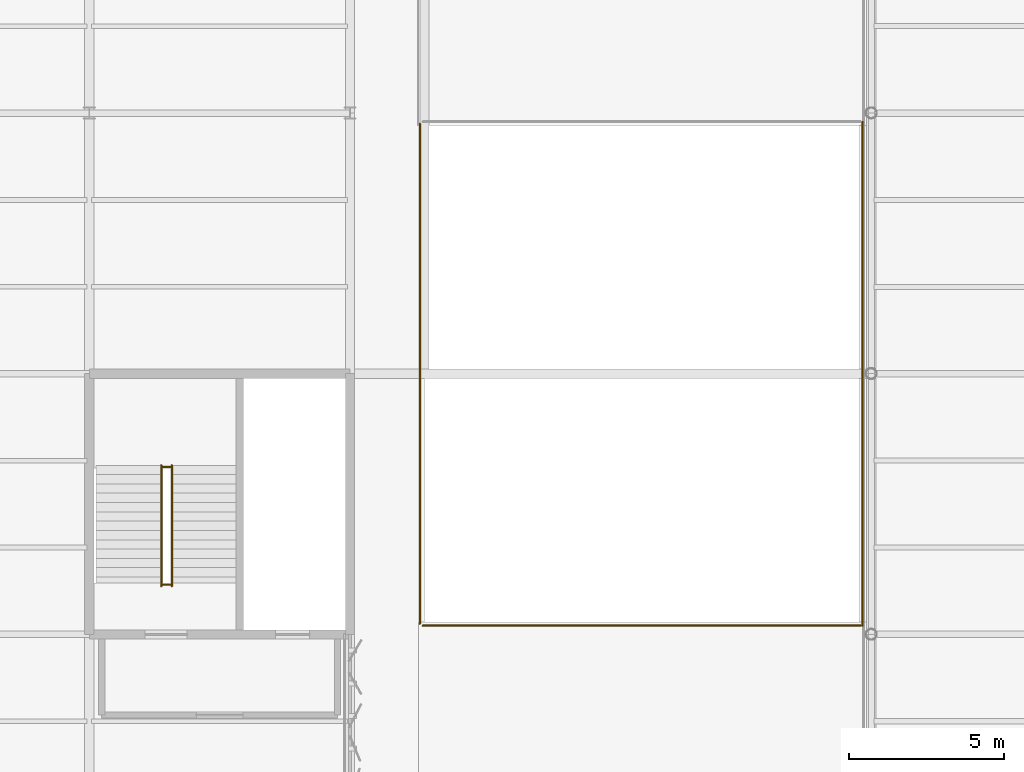
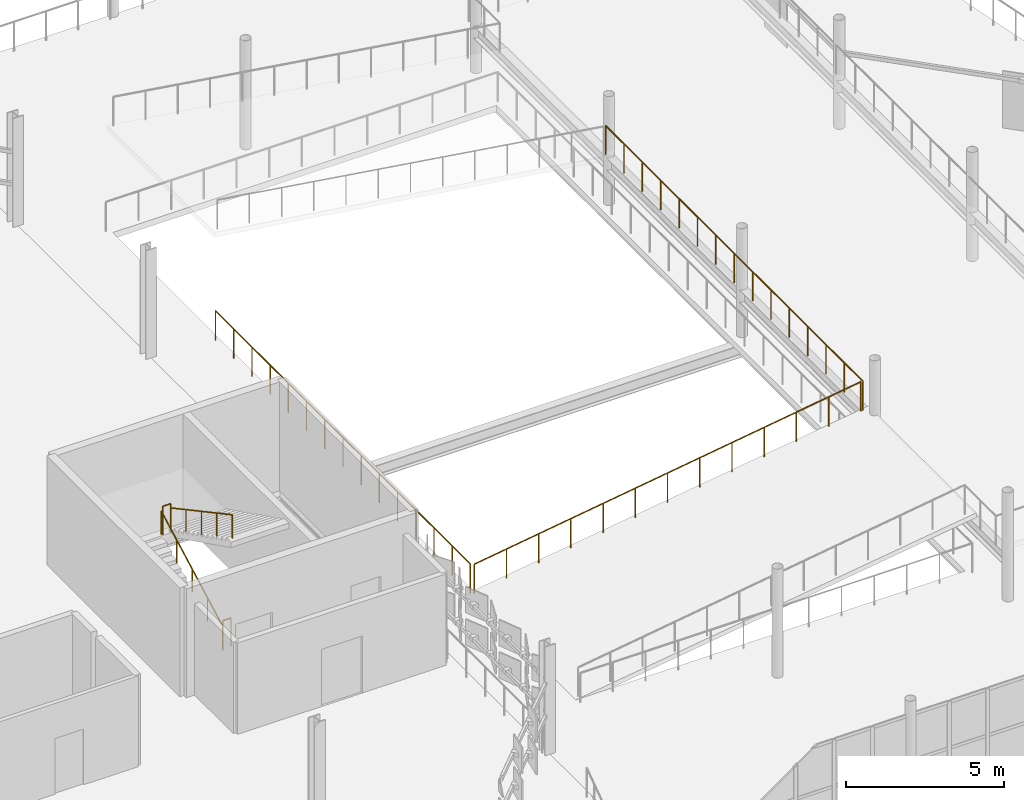
# One storey, part 182 of 184: 7 railings.
"""IFC4 building model written with IfcOpenShell, lengths in metres."""

from ifc_helpers import new_model, si_unit, direction, frame, origin, origin_2d, place, context, subcontext, project, spatial, circle, extrude, material, type_object, element, save


model = new_model("IFC4")

# Units and contexts
model_context = context("Model", 3, precision=1e-05, world=origin(), true_north=direction((0.0, 1.0)))
body_context = subcontext(model_context, "Body", "Model", "MODEL_VIEW")
ifc_project = project(units=[si_unit("LENGTHUNIT", "METRE"), si_unit("AREAUNIT", "SQUARE_METRE"), si_unit("VOLUMEUNIT", "CUBIC_METRE"), si_unit("PLANEANGLEUNIT", "RADIAN"), si_unit("MASSUNIT", "GRAM", prefix="KILO")], contexts=[model_context])

# Site, building, storey
site_placement = place(None, origin())
site = spatial("IfcSite", under=ifc_project, at=site_placement, CompositionType="ELEMENT")
building_placement = place(site_placement, origin())
building = spatial("IfcBuilding", under=site, at=building_placement, Name="Qalvenar Corner Mobility Hub", CompositionType="ELEMENT")
storey_placement = place(building_placement, frame((0.0, 0.0, 9.0)))
storey = spatial("IfcBuildingStorey", under=building, at=storey_placement, Name="L02", CompositionType="ELEMENT", Elevation=9.0)

# Railings
ifc_material_1 = material(Name="Art Nouveau Bronze-Finished Steel Balustrade", Category="steel")
railing_type_1 = type_object("IfcRailingType", Name="RL-GUARD-110", PredefinedType="GUARDRAIL", material=ifc_material_1)
for number, where, name in (
    (1, (136.739990234375, 85.60009765625, 0.0), "Stair Arrival Slot Guard C4-L02"),
    (2, (136.739990234375, 89.39990234375, 2.10009765625), "Stair Half-Landing Well Guard ST4-L02"),
):
    element("IfcRailing", number, at=place(storey_placement, frame(where)), inside=storey, type_object=railing_type_1, Name=name, PredefinedType="GUARDRAIL", context=body_context, shape_type="SweptSolid", body=[
        extrude(circle(Radius=0.02392578125, at=origin_2d()), frame((0.0, 0.0, 1.09619140625), z_axis=(1.0, 0.0, 0.0), x_axis=(0.0, 1.0, 0.0)), (0.0, 0.0, 1.0), 0.300048828125),
        extrude(circle(Radius=0.02099609375, at=origin_2d()), origin(), (0.0, 0.0, 1.0), 1.072021484375),
        extrude(circle(Radius=0.02099609375, at=origin_2d()), frame((0.300048828125, 0.0, 0.0)), (0.0, 0.0, 1.0), 1.072021484375),
    ])
ifc_material_2 = material(Name="Galvanised Steel Deck Edge Barrier", Category="steel")
railing_type_2 = type_object("IfcRailingType", Name="RL-GUARD-115", PredefinedType="GUARDRAIL", material=ifc_material_2)
railing_1_placement = place(storey_placement, frame((145.14990234375, 84.280029296875, 0.0)))
element("IfcRailing", 3, at=railing_1_placement, inside=storey, type_object=railing_type_2, Name="Ramp Guardrail L02-L03-GR1", PredefinedType="GUARDRAIL", context=body_context, shape_type="SweptSolid", body=[
    extrude(circle(Radius=0.02392578125, at=origin_2d()), frame((0.0, 0.0, 1.1259765625), z_axis=(0.989089328396, 0.0, 0.147317006664), x_axis=(0.0, 1.0, 0.0)), (0.0, 0.0, 1.0), 14.255615234375),
    extrude(circle(Radius=0.02099609375, at=origin_2d()), origin(), (0.0, 0.0, 1.0), 1.101806640625),
    extrude(circle(Radius=0.02099609375, at=origin_2d()), frame((1.175048828125, 0.0, 0.175048828125)), (0.0, 0.0, 1.0), 1.101806640625),
    extrude(circle(Radius=0.02099609375, at=origin_2d()), frame((2.35009765625, 0.0, 0.35009765625)), (0.0, 0.0, 1.0), 1.101806640625),
    extrude(circle(Radius=0.02099609375, at=origin_2d()), frame((3.52490234375, 0.0, 0.52490234375)), (0.0, 0.0, 1.0), 1.101806640625),
    extrude(circle(Radius=0.02099609375, at=origin_2d()), frame((4.699951171875, 0.0, 0.699951171875)), (0.0, 0.0, 1.0), 1.101806640625),
    extrude(circle(Radius=0.02099609375, at=origin_2d()), frame((5.875, 0.0, 0.875)), (0.0, 0.0, 1.0), 1.101806640625),
    extrude(circle(Radius=0.02099609375, at=origin_2d()), frame((7.050048828125, 0.0, 1.050048828125)), (0.0, 0.0, 1.0), 1.101806640625),
    extrude(circle(Radius=0.02099609375, at=origin_2d()), frame((8.22509765625, 0.0, 1.22509765625)), (0.0, 0.0, 1.0), 1.101806640625),
    extrude(circle(Radius=0.02099609375, at=origin_2d()), frame((9.400146484375, 0.0, 1.400146484375)), (0.0, 0.0, 1.0), 1.101806640625),
    extrude(circle(Radius=0.02099609375, at=origin_2d()), frame((10.5751953125, 0.0, 1.5751953125)), (0.0, 0.0, 1.0), 1.101806640625),
    extrude(circle(Radius=0.02099609375, at=origin_2d()), frame((11.75, 0.0, 1.75)), (0.0, 0.0, 1.0), 1.101806640625),
    extrude(circle(Radius=0.02099609375, at=origin_2d()), frame((12.925048828125, 0.0, 1.925048828125)), (0.0, 0.0, 1.0), 1.101806640625),
    extrude(circle(Radius=0.02099609375, at=origin_2d()), frame((14.10009765625, 0.0, 2.10009765625)), (0.0, 0.0, 1.0), 1.101806640625),
])
railing_2_placement = place(storey_placement, frame((159.320068359375, 84.280029296875, 2.10009765625)))
element("IfcRailing", 4, at=railing_2_placement, inside=storey, type_object=railing_type_2, Name="Ramp Guardrail L02-L03-GRL-IN", PredefinedType="GUARDRAIL", context=body_context, shape_type="SweptSolid", body=[
    extrude(circle(Radius=0.02392578125, at=origin_2d()), frame((0.0, 0.0, 1.1259765625), z_axis=(0.0, 1.0, 0.0), x_axis=(-1.0, 0.0, 0.0)), (0.0, 0.0, 1.0), 16.239990234375),
    extrude(circle(Radius=0.02099609375, at=origin_2d()), origin(), (0.0, 0.0, 1.0), 1.101806640625),
    extrude(circle(Radius=0.02099609375, at=origin_2d()), frame((0.0, 1.159912109375, 0.0)), (0.0, 0.0, 1.0), 1.101806640625),
    extrude(circle(Radius=0.02099609375, at=origin_2d()), frame((0.0, 2.320068359375, 0.0)), (0.0, 0.0, 1.0), 1.101806640625),
    extrude(circle(Radius=0.02099609375, at=origin_2d()), frame((0.0, 3.47998046875, 0.0)), (0.0, 0.0, 1.0), 1.101806640625),
    extrude(circle(Radius=0.02099609375, at=origin_2d()), frame((0.0, 4.639892578125, 0.0)), (0.0, 0.0, 1.0), 1.101806640625),
    extrude(circle(Radius=0.02099609375, at=origin_2d()), frame((0.0, 5.800048828125, 0.0)), (0.0, 0.0, 1.0), 1.101806640625),
    extrude(circle(Radius=0.02099609375, at=origin_2d()), frame((0.0, 6.9599609375, 0.0)), (0.0, 0.0, 1.0), 1.101806640625),
    extrude(circle(Radius=0.02099609375, at=origin_2d()), frame((0.0, 8.1201171875, 0.0)), (0.0, 0.0, 1.0), 1.101806640625),
    extrude(circle(Radius=0.02099609375, at=origin_2d()), frame((0.0, 9.280029296875, 0.0)), (0.0, 0.0, 1.0), 1.101806640625),
    extrude(circle(Radius=0.02099609375, at=origin_2d()), frame((0.0, 10.43994140625, 0.0)), (0.0, 0.0, 1.0), 1.101806640625),
    extrude(circle(Radius=0.02099609375, at=origin_2d()), frame((0.0, 11.60009765625, 0.0)), (0.0, 0.0, 1.0), 1.101806640625),
    extrude(circle(Radius=0.02099609375, at=origin_2d()), frame((0.0, 12.760009765625, 0.0)), (0.0, 0.0, 1.0), 1.101806640625),
    extrude(circle(Radius=0.02099609375, at=origin_2d()), frame((0.0, 13.919921875, 0.0)), (0.0, 0.0, 1.0), 1.101806640625),
    extrude(circle(Radius=0.02099609375, at=origin_2d()), frame((0.0, 15.080078125, 0.0)), (0.0, 0.0, 1.0), 1.101806640625),
    extrude(circle(Radius=0.02099609375, at=origin_2d()), frame((0.0, 16.239990234375, 0.0)), (0.0, 0.0, 1.0), 1.101806640625),
])
railing_3_placement = place(storey_placement, frame((145.050048828125, 84.35009765625, 0.0)))
element("IfcRailing", 5, at=railing_3_placement, inside=storey, type_object=railing_type_2, Name="Ramp Well Guardrail West Pier L02", PredefinedType="GUARDRAIL", context=body_context, shape_type="SweptSolid", body=[
    extrude(circle(Radius=0.02392578125, at=origin_2d()), frame((0.0, 0.0, 1.1259765625), z_axis=(0.0, 1.0, 0.0), x_axis=(-1.0, 0.0, 0.0)), (0.0, 0.0, 1.0), 16.099853515625),
    extrude(circle(Radius=0.02099609375, at=origin_2d()), origin(), (0.0, 0.0, 1.0), 1.101806640625),
    extrude(circle(Radius=0.02099609375, at=origin_2d()), frame((0.0, 1.14990234375, 0.0)), (0.0, 0.0, 1.0), 1.101806640625),
    extrude(circle(Radius=0.02099609375, at=origin_2d()), frame((0.0, 2.300048828125, 0.0)), (0.0, 0.0, 1.0), 1.101806640625),
    extrude(circle(Radius=0.02099609375, at=origin_2d()), frame((0.0, 3.449951171875, 0.0)), (0.0, 0.0, 1.0), 1.101806640625),
    extrude(circle(Radius=0.02099609375, at=origin_2d()), frame((0.0, 4.599853515625, 0.0)), (0.0, 0.0, 1.0), 1.101806640625),
    extrude(circle(Radius=0.02099609375, at=origin_2d()), frame((0.0, 5.75, 0.0)), (0.0, 0.0, 1.0), 1.101806640625),
    extrude(circle(Radius=0.02099609375, at=origin_2d()), frame((0.0, 6.89990234375, 0.0)), (0.0, 0.0, 1.0), 1.101806640625),
    extrude(circle(Radius=0.02099609375, at=origin_2d()), frame((0.0, 8.0498046875, 0.0)), (0.0, 0.0, 1.0), 1.101806640625),
    extrude(circle(Radius=0.02099609375, at=origin_2d()), frame((0.0, 9.199951171875, 0.0)), (0.0, 0.0, 1.0), 1.101806640625),
    extrude(circle(Radius=0.02099609375, at=origin_2d()), frame((0.0, 10.349853515625, 0.0)), (0.0, 0.0, 1.0), 1.101806640625),
    extrude(circle(Radius=0.02099609375, at=origin_2d()), frame((0.0, 11.5, 0.0)), (0.0, 0.0, 1.0), 1.101806640625),
    extrude(circle(Radius=0.02099609375, at=origin_2d()), frame((0.0, 12.64990234375, 0.0)), (0.0, 0.0, 1.0), 1.101806640625),
    extrude(circle(Radius=0.02099609375, at=origin_2d()), frame((0.0, 13.7998046875, 0.0)), (0.0, 0.0, 1.0), 1.101806640625),
    extrude(circle(Radius=0.02099609375, at=origin_2d()), frame((0.0, 14.949951171875, 0.0)), (0.0, 0.0, 1.0), 1.101806640625),
    extrude(circle(Radius=0.02099609375, at=origin_2d()), frame((0.0, 16.099853515625, 0.0)), (0.0, 0.0, 1.0), 1.101806640625),
])
ifc_material_3 = material(Name="Brushed Stainless Steel Handrail", Category="steel")
railing_type_3 = type_object("IfcRailingType", Name="RL-HAND-092", PredefinedType="HANDRAIL", material=ifc_material_3)
railing_4_placement = place(storey_placement, frame((136.719970703125, 85.550048828125, 0.0)))
element("IfcRailing", 6, at=railing_4_placement, inside=storey, type_object=railing_type_3, Name="Stair Handrail ST4-L02-1", PredefinedType="HANDRAIL", context=body_context, shape_type="SweptSolid", body=[
    extrude(circle(Radius=0.02392578125, at=origin_2d()), frame((0.0, 0.0, 0.89599609375), z_axis=(0.0, 0.880456940745, 0.474126117709), x_axis=(-1.0, 0.0, 0.0)), (0.0, 0.0, 1.0), 4.429443359375),
    extrude(circle(Radius=0.02099609375, at=origin_2d()), origin(), (0.0, 0.0, 1.0), 0.871826171875),
    extrude(circle(Radius=0.02099609375, at=origin_2d()), frame((0.0, 0.97509765625, 0.52490234375)), (0.0, 0.0, 1.0), 0.871826171875),
    extrude(circle(Radius=0.02099609375, at=origin_2d()), frame((0.0, 1.949951171875, 1.050048828125)), (0.0, 0.0, 1.0), 0.871826171875),
    extrude(circle(Radius=0.02099609375, at=origin_2d()), frame((0.0, 2.9248046875, 1.5751953125)), (0.0, 0.0, 1.0), 0.871826171875),
    extrude(circle(Radius=0.02099609375, at=origin_2d()), frame((0.0, 3.89990234375, 2.10009765625)), (0.0, 0.0, 1.0), 0.871826171875),
])
railing_5_placement = place(storey_placement, frame((137.06005859375, 89.449951171875, 2.10009765625)))
element("IfcRailing", 7, at=railing_5_placement, inside=storey, type_object=railing_type_3, Name="Stair Handrail ST4-L02-2", PredefinedType="HANDRAIL", context=body_context, shape_type="SweptSolid", body=[
    extrude(circle(Radius=0.02392578125, at=origin_2d()), frame((0.0, 0.0, 0.89599609375), z_axis=(0.0, -0.88047994924, 0.474083388219), x_axis=(1.0, 0.0, 0.0)), (0.0, 0.0, 1.0), 4.42919921875),
    extrude(circle(Radius=0.02099609375, at=origin_2d()), origin(), (0.0, 0.0, 1.0), 0.871826171875),
    extrude(circle(Radius=0.02099609375, at=origin_2d()), frame((0.0, -0.97509765625, 0.52490234375)), (0.0, 0.0, 1.0), 0.871826171875),
    extrude(circle(Radius=0.02099609375, at=origin_2d()), frame((0.0, -1.949951171875, 1.0498046875)), (0.0, 0.0, 1.0), 0.871826171875),
    extrude(circle(Radius=0.02099609375, at=origin_2d()), frame((0.0, -2.9248046875, 1.574951171875)), (0.0, 0.0, 1.0), 0.871826171875),
    extrude(circle(Radius=0.02099609375, at=origin_2d()), frame((0.0, -3.89990234375, 2.099853515625)), (0.0, 0.0, 1.0), 0.871826171875),
])

save(model, "model.ifc")
